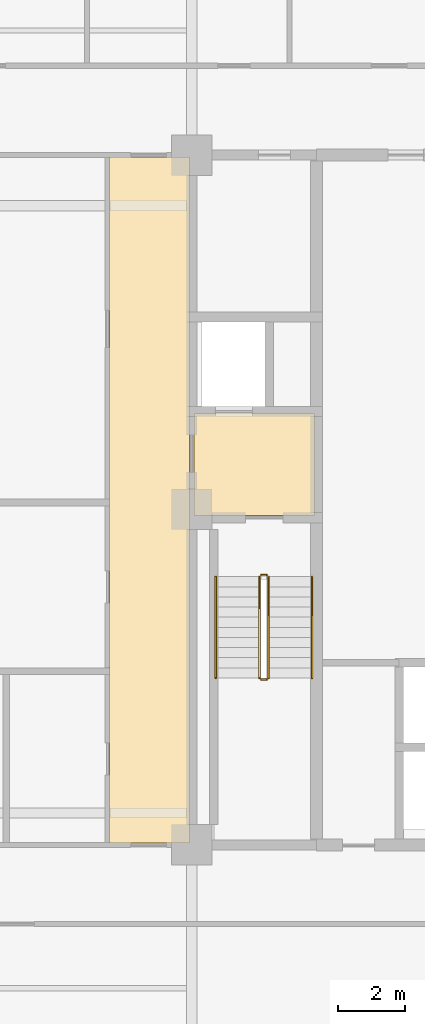
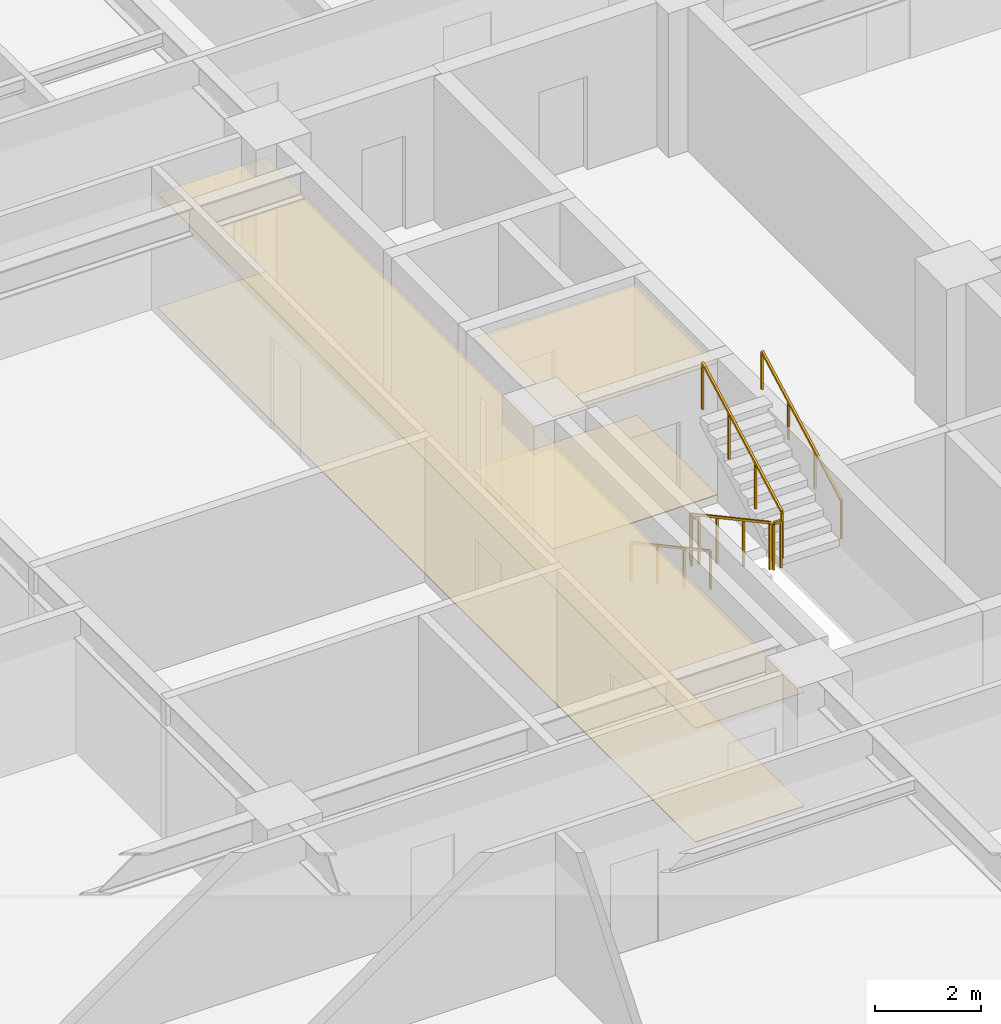
# One storey, part 12 of 14: 6 railings, 4 coverings.
"""IFC4 building model written with IfcOpenShell, lengths in metres."""

from ifc_helpers import new_model, si_unit, direction, frame, origin, origin_2d, place, context, subcontext, project, spatial, polyline, rectangle, outline, extrude, material, layer, layer_set, type_object, element, save


model = new_model("IFC4")

# Units and contexts
model_context = context("Model", 3, precision=1e-05, world=origin(), true_north=direction((0.0, 1.0)))
body_context = subcontext(model_context, "Body", "Model", "MODEL_VIEW")
ifc_project = project(units=[si_unit("LENGTHUNIT", "METRE"), si_unit("AREAUNIT", "SQUARE_METRE"), si_unit("VOLUMEUNIT", "CUBIC_METRE"), si_unit("PLANEANGLEUNIT", "RADIAN"), si_unit("MASSUNIT", "GRAM", prefix="KILO")], contexts=[model_context])

# Site, building, storey
site_placement = place(None, origin())
site = spatial("IfcSite", under=ifc_project, at=site_placement, CompositionType="ELEMENT")
building_placement = place(site_placement, origin())
building = spatial("IfcBuilding", under=site, at=building_placement, Name="Zulmaris Gate Convention Tower", CompositionType="ELEMENT")
storey_placement = place(building_placement, frame((0.0, 0.0, 45.050048828125)))
storey = spatial("IfcBuildingStorey", under=building, at=storey_placement, Name="L10", CompositionType="ELEMENT", Elevation=45.050048828125)

# Coverings
ifc_material_1 = material(Name="Mineral Fibre Acoustic Ceiling Tile")
ifc_layer_1 = layer(ifc_material_1, 0.02001953125, Name="Mineral Fibre Acoustic Ceiling Tile")
ifc_layer_set_1 = layer_set([ifc_layer_1], Name="Mineral Fibre Acoustic Ceiling Tile")
covering_type_1 = type_object("IfcCoveringType", Name="CLG-ACOUSTIC-600", PredefinedType="CEILING", material=ifc_layer_set_1)
covering_1_placement = place(storey_placement, frame((0.0, 0.0, 3.0400390625)))
element("IfcCovering", 1, at=covering_1_placement, inside=storey, type_object=covering_type_1, Name="CLG-L10-R08", PredefinedType="CEILING", context=body_context, shape_type="SweptSolid", body=[
    extrude(outline(polyline([(11.06005859375, -0.18994140625), (14.639892578125, -0.18994140625), (14.639892578125, 2.840087890625), (11.06005859375, 2.840087890625), (11.06005859375, -0.18994140625)])), origin(), (0.0, 0.0, 1.0), 0.02001953125),
])
covering_2_placement = place(storey_placement, frame((0.0, 0.0, 2.6279296875)))
element("IfcCovering", 2, at=covering_2_placement, inside=storey, type_object=covering_type_1, Name="CLG-L10-R29", PredefinedType="CEILING", context=body_context, shape_type="SweptSolid", body=[
    extrude(outline(polyline([(8.56005859375, -9.889892578125), (10.93994140625, -9.889892578125), (10.93994140625, 10.43994140625), (8.56005859375, 10.43994140625), (8.56005859375, -9.889892578125)])), origin(), (0.0, 0.0, 1.0), 0.02001953125),
])
ifc_material_2 = material(Name="Woven Acoustic Wool Carpet Tile")
ifc_layer_2 = layer(ifc_material_2, 0.02001953125, Name="Woven Acoustic Wool Carpet Tile")
ifc_layer_set_2 = layer_set([ifc_layer_2], Name="Woven Acoustic Wool Carpet Tile")
covering_type_2 = type_object("IfcCoveringType", Name="FLR-CARPET-12", PredefinedType="FLOORING", material=ifc_layer_set_2)
covering_3_placement = place(storey_placement, origin())
element("IfcCovering", 3, at=covering_3_placement, inside=storey, type_object=covering_type_2, Name="FLR-L10-R08", PredefinedType="FLOORING", context=body_context, shape_type="SweptSolid", body=[
    extrude(outline(polyline([(11.06005859375, -0.18994140625), (14.639892578125, -0.18994140625), (14.639892578125, 2.840087890625), (11.06005859375, 2.840087890625), (11.06005859375, -0.18994140625)])), origin(), (0.0, 0.0, 1.0), 0.02001953125),
])
covering_4_placement = place(storey_placement, origin())
element("IfcCovering", 4, at=covering_4_placement, inside=storey, type_object=covering_type_2, Name="FLR-L10-R29", PredefinedType="FLOORING", context=body_context, shape_type="SweptSolid", body=[
    extrude(outline(polyline([(8.56005859375, -9.889892578125), (10.93994140625, -9.889892578125), (10.93994140625, 10.43994140625), (8.56005859375, 10.43994140625), (8.56005859375, -9.889892578125)])), origin(), (0.0, 0.0, 1.0), 0.02001953125),
])

# Railings
ifc_material_3 = material(Name="Painted Galvanised Steel", Category="steel")
railing_type_1 = type_object("IfcRailingType", Name="RL-STG-1150", PredefinedType="GUARDRAIL", material=ifc_material_3)
railing_1_placement = place(storey_placement, frame((13.010009765625, -2.0, 0.162109375)))
element("IfcRailing", 5, at=railing_1_placement, inside=storey, type_object=railing_type_1, Name="L10 ST-2 stair guard 1", PredefinedType="GUARDRAIL", context=body_context, shape_type="SweptSolid", body=[
    extrude(rectangle(XDim=0.048095703125, YDim=0.048095703125, at=origin_2d()), frame((0.0, 0.0, 1.076171875), z_axis=(0.0, -0.8795616155, 0.475784998228), x_axis=(1.0, 0.0, 0.0)), (0.0, 0.0, 1.0), 3.410888671875),
    extrude(rectangle(XDim=0.0419921875, YDim=0.0419921875, at=origin_2d()), origin(), (0.0, 0.0, 1.0), 1.052001953125),
    extrude(rectangle(XDim=0.0419921875, YDim=0.0419921875, at=origin_2d()), frame((0.0, -1.0, 0.541015625)), (0.0, 0.0, 1.0), 1.052001953125),
    extrude(rectangle(XDim=0.0419921875, YDim=0.0419921875, at=origin_2d()), frame((0.0, -2.0, 1.081787109375)), (0.0, 0.0, 1.0), 1.052001953125),
    extrude(rectangle(XDim=0.0419921875, YDim=0.0419921875, at=origin_2d()), frame((0.0, -3.0, 1.622802734375)), (0.0, 0.0, 1.0), 1.052001953125),
])
railing_2_placement = place(storey_placement, frame((13.06005859375, -5.050048828125, 1.784912109375)))
element("IfcRailing", 6, at=railing_2_placement, inside=storey, type_object=railing_type_1, Name="L10 ST-2 stair guard 2", PredefinedType="GUARDRAIL", context=body_context, shape_type="SweptSolid", body=[
    extrude(rectangle(XDim=0.048095703125, YDim=0.048095703125, at=origin_2d()), frame((0.0, 0.0, 1.076171875), z_axis=(1.0, 0.0, 0.0), x_axis=(0.0, 1.0, 0.0)), (0.0, 0.0, 1.0), 0.159912109375),
    extrude(rectangle(XDim=0.0419921875, YDim=0.0419921875, at=origin_2d()), origin(), (0.0, 0.0, 1.0), 1.052001953125),
    extrude(rectangle(XDim=0.0419921875, YDim=0.0419921875, at=origin_2d()), frame((0.159912109375, 0.0, 0.0)), (0.0, 0.0, 1.0), 1.052001953125),
])
railing_3_placement = place(storey_placement, frame((13.27001953125, -5.0, 1.947265625)))
element("IfcRailing", 7, at=railing_3_placement, inside=storey, type_object=railing_type_1, Name="L10 ST-2 stair guard 3", PredefinedType="GUARDRAIL", context=body_context, shape_type="SweptSolid", body=[
    extrude(rectangle(XDim=0.048095703125, YDim=0.048095703125, at=origin_2d()), frame((0.0, 0.0, 1.076171875), z_axis=(0.0, 0.8795616155, 0.475784998228), x_axis=(-1.0, 0.0, 0.0)), (0.0, 0.0, 1.0), 3.410888671875),
    extrude(rectangle(XDim=0.0419921875, YDim=0.0419921875, at=origin_2d()), origin(), (0.0, 0.0, 1.0), 1.052001953125),
    extrude(rectangle(XDim=0.0419921875, YDim=0.0419921875, at=origin_2d()), frame((0.0, 1.0, 0.541015625)), (0.0, 0.0, 1.0), 1.052001953125),
    extrude(rectangle(XDim=0.0419921875, YDim=0.0419921875, at=origin_2d()), frame((0.0, 2.0, 1.081787109375)), (0.0, 0.0, 1.0), 1.052001953125),
    extrude(rectangle(XDim=0.0419921875, YDim=0.0419921875, at=origin_2d()), frame((0.0, 3.0, 1.622802734375)), (0.0, 0.0, 1.0), 1.052001953125),
])
railing_4_placement = place(storey_placement, frame((13.06005859375, -1.949951171875, 0.0)))
element("IfcRailing", 8, at=railing_4_placement, inside=storey, type_object=railing_type_1, Name="L10 ST-2 stair guard 4", PredefinedType="GUARDRAIL", context=body_context, shape_type="SweptSolid", body=[
    extrude(rectangle(XDim=0.048095703125, YDim=0.048095703125, at=origin_2d()), frame((0.0, 0.0, 1.076171875), z_axis=(1.0, 0.0, 0.0), x_axis=(0.0, 1.0, 0.0)), (0.0, 0.0, 1.0), 0.159912109375),
    extrude(rectangle(XDim=0.0419921875, YDim=0.0419921875, at=origin_2d()), origin(), (0.0, 0.0, 1.0), 1.052001953125),
    extrude(rectangle(XDim=0.0419921875, YDim=0.0419921875, at=origin_2d()), frame((0.159912109375, 0.0, 0.0)), (0.0, 0.0, 1.0), 1.052001953125),
])
ifc_material_4 = material(Name="Brushed Stainless Steel", Category="steel")
railing_type_2 = type_object("IfcRailingType", Name="RL-STH-900", PredefinedType="HANDRAIL", material=ifc_material_4)
railing_5_placement = place(storey_placement, frame((11.7099609375, -2.0, 0.162109375)))
element("IfcRailing", 9, at=railing_5_placement, inside=storey, type_object=railing_type_2, Name="L10 ST-2 stair handrail 1", PredefinedType="HANDRAIL", context=body_context, shape_type="SweptSolid", body=[
    extrude(rectangle(XDim=0.048095703125, YDim=0.048095703125, at=origin_2d()), frame((0.0, 0.0, 0.8759765625), z_axis=(0.0, -0.8795616155, 0.475784998228), x_axis=(1.0, 0.0, 0.0)), (0.0, 0.0, 1.0), 3.410888671875),
    extrude(rectangle(XDim=0.0419921875, YDim=0.0419921875, at=origin_2d()), origin(), (0.0, 0.0, 1.0), 0.851806640625),
    extrude(rectangle(XDim=0.0419921875, YDim=0.0419921875, at=origin_2d()), frame((0.0, -1.0, 0.541015625)), (0.0, 0.0, 1.0), 0.851806640625),
    extrude(rectangle(XDim=0.0419921875, YDim=0.0419921875, at=origin_2d()), frame((0.0, -2.0, 1.081787109375)), (0.0, 0.0, 1.0), 0.851806640625),
    extrude(rectangle(XDim=0.0419921875, YDim=0.0419921875, at=origin_2d()), frame((0.0, -3.0, 1.622802734375)), (0.0, 0.0, 1.0), 0.851806640625),
])
railing_6_placement = place(storey_placement, frame((14.570068359375, -5.0, 1.947265625)))
element("IfcRailing", 10, at=railing_6_placement, inside=storey, type_object=railing_type_2, Name="L10 ST-2 stair handrail 2", PredefinedType="HANDRAIL", context=body_context, shape_type="SweptSolid", body=[
    extrude(rectangle(XDim=0.048095703125, YDim=0.048095703125, at=origin_2d()), frame((0.0, 0.0, 0.8759765625), z_axis=(0.0, 0.8795616155, 0.475784998228), x_axis=(-1.0, 0.0, 0.0)), (0.0, 0.0, 1.0), 3.410888671875),
    extrude(rectangle(XDim=0.0419921875, YDim=0.0419921875, at=origin_2d()), origin(), (0.0, 0.0, 1.0), 0.851806640625),
    extrude(rectangle(XDim=0.0419921875, YDim=0.0419921875, at=origin_2d()), frame((0.0, 1.0, 0.541015625)), (0.0, 0.0, 1.0), 0.851806640625),
    extrude(rectangle(XDim=0.0419921875, YDim=0.0419921875, at=origin_2d()), frame((0.0, 2.0, 1.081787109375)), (0.0, 0.0, 1.0), 0.851806640625),
    extrude(rectangle(XDim=0.0419921875, YDim=0.0419921875, at=origin_2d()), frame((0.0, 3.0, 1.622802734375)), (0.0, 0.0, 1.0), 0.851806640625),
])

save(model, "model.ifc")
